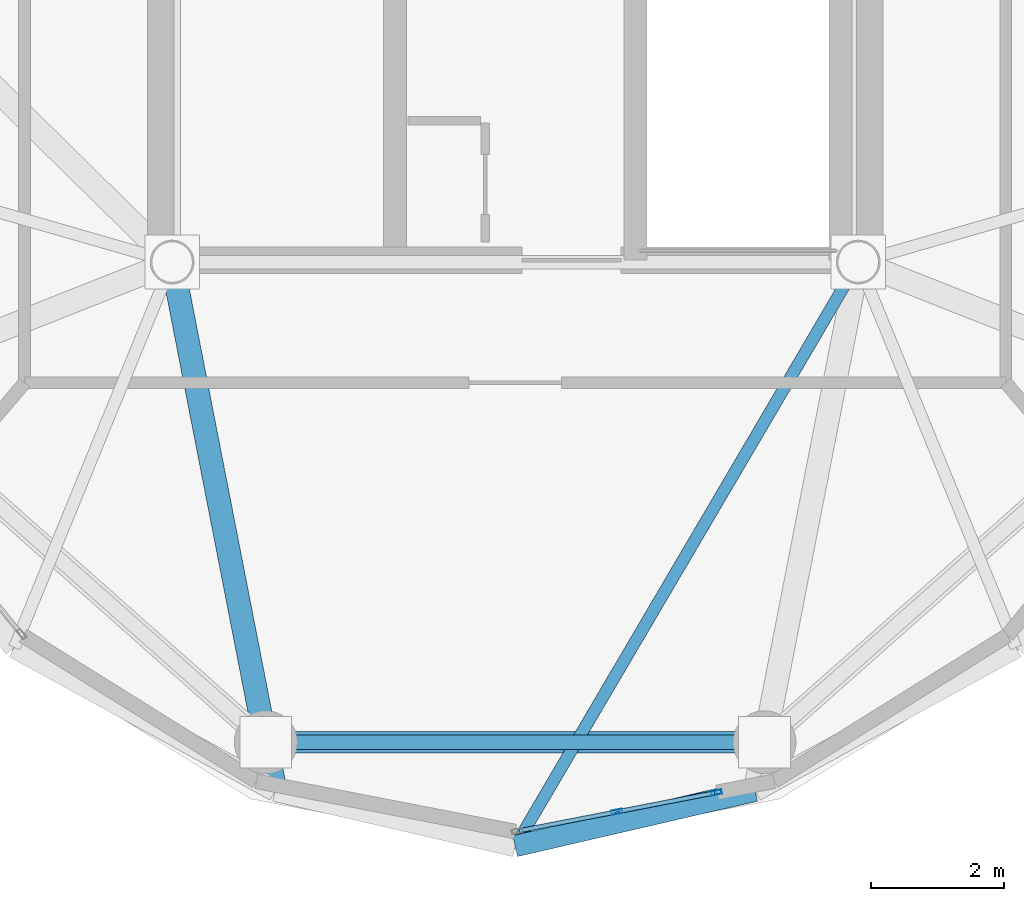
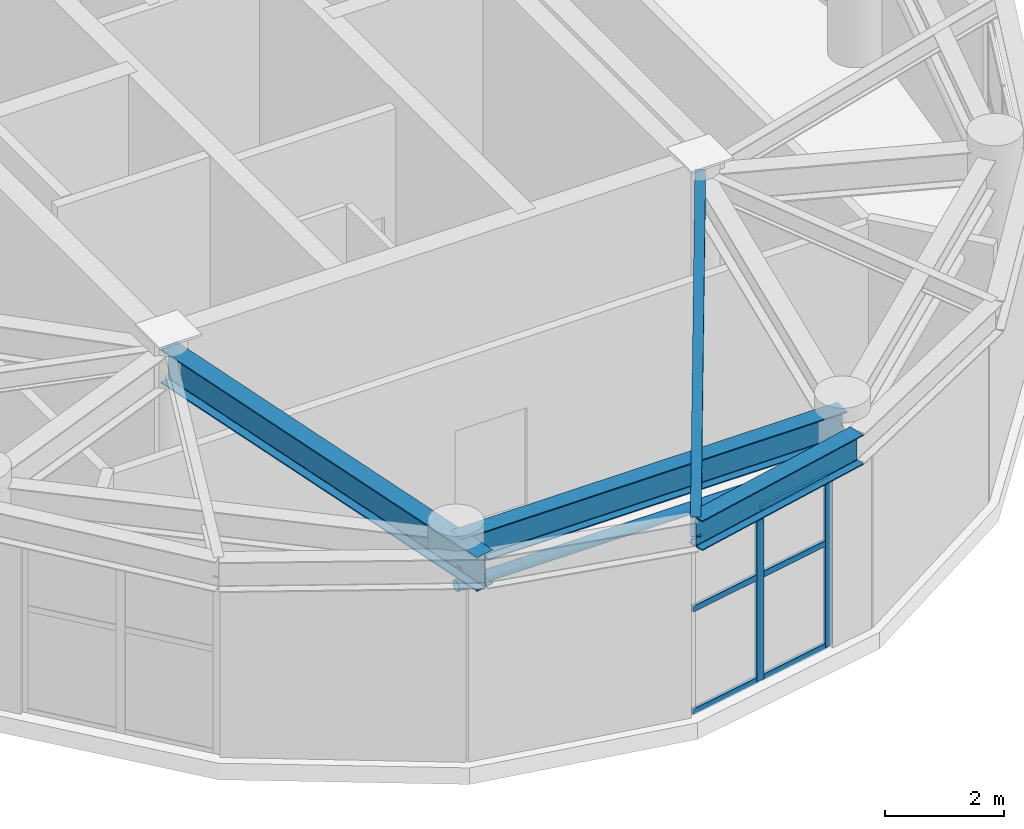
# One storey, part 3 of 26: 9 members, 4 beams, 1 element without a shape of its own.
"""IFC4 building model written with IfcOpenShell, lengths in metres."""

from ifc_helpers import new_model, si_unit, direction, frame, origin, origin_2d, place, context, subcontext, project, spatial, hollow_rectangle, hollow_circle, i_section, extrude, material, layer, layer_set, material_profile, profile_set, type_object, element, aggregate, save


model = new_model("IFC4")

# Units and contexts
model_context = context("Model", 3, precision=1e-05, world=origin(), true_north=direction((0.0, 1.0)))
body_context = subcontext(model_context, "Body", "Model", "MODEL_VIEW")
ifc_project = project(units=[si_unit("LENGTHUNIT", "METRE"), si_unit("AREAUNIT", "SQUARE_METRE"), si_unit("VOLUMEUNIT", "CUBIC_METRE"), si_unit("PLANEANGLEUNIT", "RADIAN"), si_unit("MASSUNIT", "GRAM", prefix="KILO")], contexts=[model_context])

# Site, building, storey
site_placement = place(None, origin())
site = spatial("IfcSite", under=ifc_project, at=site_placement, CompositionType="ELEMENT")
building_placement = place(site_placement, origin())
building = spatial("IfcBuilding", under=site, at=building_placement, Name="Cununo Teusaquillo Station Towers", CompositionType="ELEMENT")
storey_placement = place(building_placement, frame((0.0, 0.0, 240.330078125)))
storey = spatial("IfcBuildingStorey", under=building, at=storey_placement, Name="L76", CompositionType="ELEMENT", Elevation=240.330078125)

# Beams
ifc_material_1 = material(Name="Steel ASTM A572 Grade 50", Category="steel")
ifc_material_profile_1 = material_profile(ifc_material_1, i_section(OverallWidth=0.180908203125, OverallDepth=0.4169921875, WebThickness=0.010986328125, FlangeThickness=0.018310546875, FilletRadius=0.012939453125, at=origin_2d()), Name="W16X57")
ifc_profile_set_1 = profile_set([ifc_material_profile_1], Name="Steel ASTM A572 Grade 50")
beam_type_1 = type_object("IfcBeamType", Name="BM-JOIST-1", PredefinedType="JOIST", material=ifc_profile_set_1)
beam_1_placement = place(storey_placement, frame((21.675048828125, 17.6201171875, 3.991455078125), z_axis=(-0.506486432091, -0.862247930765, 0.0), x_axis=(0.862247930765, -0.506486432091, 0.0)))
element("IfcBeam", 1, at=beam_1_placement, inside=storey, type_object=beam_type_1, Name="L76 Tower A Radial Spandrel Joist V15", PredefinedType="JOIST", context=body_context, shape_type="SweptSolid", body=[
    extrude(i_section(OverallWidth=0.180908203125, OverallDepth=0.4169921875, WebThickness=0.010986328125, FlangeThickness=0.018310546875, FilletRadius=0.012939453125, at=origin_2d()), origin(), (0.0, 0.0, 1.0), 10.217529296875),
])
ifc_material_2 = material(Name="Steel ASTM A572 Grade 50", Category="steel")
ifc_material_profile_2 = material_profile(ifc_material_2, i_section(OverallWidth=0.35498046875, OverallDepth=0.696044921875, WebThickness=0.015380859375, FlangeThickness=0.02490234375, FilletRadius=0.01806640625, at=origin_2d()), Name="W27X146")
ifc_profile_set_2 = profile_set([ifc_material_profile_2], Name="Steel ASTM A572 Grade 50")
beam_type_2 = type_object("IfcBeamType", Name="BM-PLNT-G1", PredefinedType="BEAM", material=ifc_profile_set_2)
beam_2_placement = place(storey_placement, frame((11.324951171875, 17.6201171875, 3.851806640625), z_axis=(0.191548487699, -0.981483151593, 0.0), x_axis=(0.981483151593, 0.191548487699, 0.0)))
element("IfcBeam", 2, at=beam_2_placement, inside=storey, type_object=beam_type_2, Name="L76 Tower A Continuous Overhanging Radial Girder 08", PredefinedType="BEAM", context=body_context, shape_type="SweptSolid", body=[
    extrude(i_section(OverallWidth=0.35498046875, OverallDepth=0.696044921875, WebThickness=0.015380859375, FlangeThickness=0.02490234375, FilletRadius=0.01806640625, at=origin_2d()), origin(), (0.0, 0.0, 1.0), 8.1240234375),
])
ifc_material_3 = material(Name="Steel ASTM A572 Grade 50", Category="steel")
ifc_material_profile_3 = material_profile(ifc_material_3, i_section(OverallWidth=0.324951171875, OverallDepth=0.615966796875, WebThickness=0.013916015625, FlangeThickness=0.021484375, FilletRadius=0.01611328125, at=origin_2d()), Name="W24X117")
ifc_profile_set_3 = profile_set([ifc_material_profile_3], Name="Steel ASTM A572 Grade 50")
beam_type_3 = type_object("IfcBeamType", Name="BM-PLNT-G2", PredefinedType="BEAM", material=ifc_profile_set_3)
beam_3_placement = place(storey_placement, frame((12.738525390625, 10.376708984375, 3.891845703125), z_axis=(1.0, 0.0, 0.0), x_axis=(0.0, 1.0, 0.0)))
element("IfcBeam", 3, at=beam_3_placement, inside=storey, type_object=beam_type_3, Name="L76 Tower A Structural Column Ring Girder 08", PredefinedType="BEAM", context=body_context, shape_type="SweptSolid", body=[
    extrude(i_section(OverallWidth=0.324951171875, OverallDepth=0.615966796875, WebThickness=0.013916015625, FlangeThickness=0.021484375, FilletRadius=0.01611328125, at=origin_2d()), origin(), (0.0, 0.0, 1.0), 7.52294921875),
])
beam_4_placement = place(storey_placement, frame((16.5, 8.81005859375, 3.891845703125), z_axis=(0.97431470066, 0.225190728224, 0.0), x_axis=(-0.225190728224, 0.97431470066, 0.0)))
element("IfcBeam", 4, at=beam_4_placement, inside=storey, type_object=beam_type_3, Name="L76 Tower A Spandrel Ring Beam 16", PredefinedType="BEAM", context=body_context, shape_type="SweptSolid", body=[
    extrude(i_section(OverallWidth=0.324951171875, OverallDepth=0.615966796875, WebThickness=0.013916015625, FlangeThickness=0.021484375, FilletRadius=0.01611328125, at=origin_2d()), origin(), (0.0, 0.0, 1.0), 3.71435546875),
])

# Curtain wall, members
ifc_material_4 = material(Name="Ceramic-fritted dark low-E double glazing", Category="glass")
ifc_layer = layer(ifc_material_4, 0.179931640625)
ifc_layer_set = layer_set([ifc_layer], Name="Ceramic-fritted dark low-E double glazing")
curtain_wall_type = type_object("IfcCurtainWallType", Name="CW-SYS-08", PredefinedType="USERDEFINED", material=ifc_layer_set)
curtain_wall_placement = place(storey_placement, origin())
curtain_wall = element("IfcCurtainWall", 5, at=curtain_wall_placement, inside=storey, type_object=curtain_wall_type, Name="L76 Tower A Crown Drum Glazed Screen C15", ObjectType="FRITTED GLAZING", PredefinedType="USERDEFINED")
ifc_material_5 = material(Name="Anodised dark bronze aluminium EN AW-6063-T6", Category="aluminium")
ifc_material_profile_4 = material_profile(ifc_material_5, hollow_rectangle(XDim=0.06494140625, YDim=0.159912109375, WallThickness=0.00390625, at=origin_2d()), Name="CW-MULL-65x160")
ifc_profile_set_4 = profile_set([ifc_material_profile_4], Name="Anodised dark bronze aluminium EN AW-6063-T6")
member_type_1 = type_object("IfcMemberType", Name="CWM-160", PredefinedType="MULLION", material=ifc_profile_set_4)
member_1_placement = place(storey_placement, frame((19.53662109375, 9.619140625, 0.0), z_axis=(0.0, 0.0, 1.0), x_axis=(0.190452618648, -0.981696388936, 0.0)))
member_1 = element("IfcMember", 6, at=member_1_placement, type_object=member_type_1, Name="CW-08 mullion 1", PredefinedType="MULLION", context=body_context, shape_type="SweptSolid", body=[
    extrude(hollow_rectangle(XDim=0.06494140625, YDim=0.159912109375, WallThickness=0.00390625, at=origin_2d()), origin(), (0.0, 0.0, 1.0), 3.555908203125),
])
member_2_placement = place(storey_placement, frame((18.0341796875, 9.32763671875, 0.0), z_axis=(0.0, 0.0, 1.0), x_axis=(0.190452618648, -0.981696388936, 0.0)))
member_2 = element("IfcMember", 7, at=member_2_placement, type_object=member_type_1, Name="CW-08 mullion 2", PredefinedType="MULLION", context=body_context, shape_type="SweptSolid", body=[
    extrude(hollow_rectangle(XDim=0.06494140625, YDim=0.159912109375, WallThickness=0.00390625, at=origin_2d()), origin(), (0.0, 0.0, 1.0), 3.555908203125),
])
ifc_material_6 = material(Name="Anodised dark bronze aluminium EN AW-6063-T6", Category="aluminium")
ifc_material_profile_5 = material_profile(ifc_material_6, hollow_rectangle(XDim=0.06494140625, YDim=0.1201171875, WallThickness=0.00390625, at=origin_2d()), Name="CW-TRAN-65x120")
ifc_profile_set_5 = profile_set([ifc_material_profile_5], Name="Anodised dark bronze aluminium EN AW-6063-T6")
member_type_2 = type_object("IfcMemberType", Name="CWT-120", PredefinedType="USERDEFINED", material=ifc_profile_set_5)
member_3_placement = place(storey_placement, frame((19.504638671875, 9.613037109375, 0.032470703125), z_axis=(-0.981667380183, -0.190602084679, 0.0), x_axis=(0.190602084679, -0.981667380183, 0.0)))
member_3 = element("IfcMember", 8, at=member_3_placement, type_object=member_type_2, Name="CW-08 transom 1.1", ObjectType="TRANSOM", PredefinedType="USERDEFINED", context=body_context, shape_type="SweptSolid", body=[
    extrude(hollow_rectangle(XDim=0.06494140625, YDim=0.1201171875, WallThickness=0.00390625, at=origin_2d()), origin(), (0.0, 0.0, 1.0), 1.46533203125),
])
member_4_placement = place(storey_placement, frame((19.504638671875, 9.613037109375, 2.14990234375), z_axis=(-0.981667380183, -0.190602084679, 0.0), x_axis=(0.190602084679, -0.981667380183, 0.0)))
member_4 = element("IfcMember", 9, at=member_4_placement, type_object=member_type_2, Name="CW-08 transom 1.2", ObjectType="TRANSOM", PredefinedType="USERDEFINED", context=body_context, shape_type="SweptSolid", body=[
    extrude(hollow_rectangle(XDim=0.06494140625, YDim=0.1201171875, WallThickness=0.00390625, at=origin_2d()), origin(), (0.0, 0.0, 1.0), 1.46533203125),
])
member_5_placement = place(storey_placement, frame((19.504638671875, 9.613037109375, 3.5234375), z_axis=(-0.981667380183, -0.190602084679, 0.0), x_axis=(0.190602084679, -0.981667380183, 0.0)))
member_5 = element("IfcMember", 10, at=member_5_placement, type_object=member_type_2, Name="CW-08 transom 1.3", ObjectType="TRANSOM", PredefinedType="USERDEFINED", context=body_context, shape_type="SweptSolid", body=[
    extrude(hollow_rectangle(XDim=0.06494140625, YDim=0.1201171875, WallThickness=0.00390625, at=origin_2d()), origin(), (0.0, 0.0, 1.0), 1.46533203125),
])
member_6_placement = place(storey_placement, frame((18.00244140625, 9.321533203125, 0.032470703125), z_axis=(-0.981704583445, -0.190410374831, 0.0), x_axis=(0.190410374831, -0.981704583445, 0.0)))
member_6 = element("IfcMember", 11, at=member_6_placement, type_object=member_type_2, Name="CW-08 transom 2.1", ObjectType="TRANSOM", PredefinedType="USERDEFINED", context=body_context, shape_type="SweptSolid", body=[
    extrude(hollow_rectangle(XDim=0.06494140625, YDim=0.1201171875, WallThickness=0.00390625, at=origin_2d()), origin(), (0.0, 0.0, 1.0), 1.465576171875),
])
member_7_placement = place(storey_placement, frame((18.00244140625, 9.321533203125, 2.14990234375), z_axis=(-0.981704583445, -0.190410374831, 0.0), x_axis=(0.190410374831, -0.981704583445, 0.0)))
member_7 = element("IfcMember", 12, at=member_7_placement, type_object=member_type_2, Name="CW-08 transom 2.2", ObjectType="TRANSOM", PredefinedType="USERDEFINED", context=body_context, shape_type="SweptSolid", body=[
    extrude(hollow_rectangle(XDim=0.06494140625, YDim=0.1201171875, WallThickness=0.00390625, at=origin_2d()), origin(), (0.0, 0.0, 1.0), 1.465576171875),
])
member_8_placement = place(storey_placement, frame((18.00244140625, 9.321533203125, 3.5234375), z_axis=(-0.981704583445, -0.190410374831, 0.0), x_axis=(0.190410374831, -0.981704583445, 0.0)))
member_8 = element("IfcMember", 13, at=member_8_placement, type_object=member_type_2, Name="CW-08 transom 2.3", ObjectType="TRANSOM", PredefinedType="USERDEFINED", context=body_context, shape_type="SweptSolid", body=[
    extrude(hollow_rectangle(XDim=0.06494140625, YDim=0.1201171875, WallThickness=0.00390625, at=origin_2d()), origin(), (0.0, 0.0, 1.0), 1.465576171875),
])
aggregate(curtain_wall, [member_1, member_2, member_3, member_4, member_5, member_6, member_7, member_8])

# Member
ifc_material_7 = material(Name="Steel EN 10025-2 S355J2", Category="steel")
ifc_material_profile_6 = material_profile(ifc_material_7, hollow_circle(Radius=0.109619140625, WallThickness=0.010009765625, at=origin_2d()), Name="CHS 219x10")
ifc_profile_set_6 = profile_set([ifc_material_profile_6], Name="Steel EN 10025-2 S355J2")
member_type_3 = type_object("IfcMemberType", Name="MBR-DRUM-COL", PredefinedType="COLLAR", material=ifc_profile_set_6)
member_9_placement = place(storey_placement, frame((12.738525390625, 10.376708984375, 3.14990234375), z_axis=(1.0, 0.0, 0.0), x_axis=(0.0, 1.0, 0.0)))
element("IfcMember", 14, at=member_9_placement, inside=storey, type_object=member_type_3, Name="L76 Tower A Crown Drum Collar 08", PredefinedType="COLLAR", context=body_context, shape_type="SweptSolid", body=[
    extrude(hollow_circle(Radius=0.109619140625, WallThickness=0.010009765625, at=origin_2d()), origin(), (0.0, 0.0, 1.0), 7.52294921875),
])

save(model, "model.ifc")
